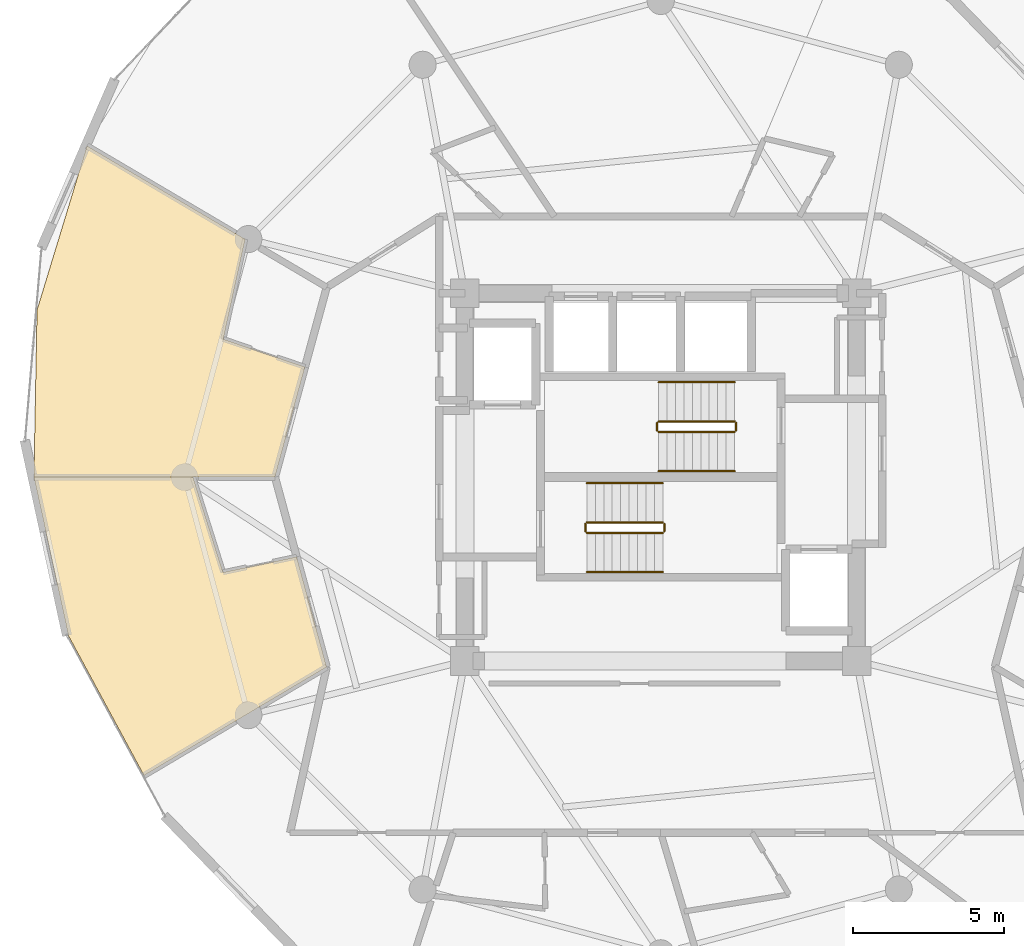
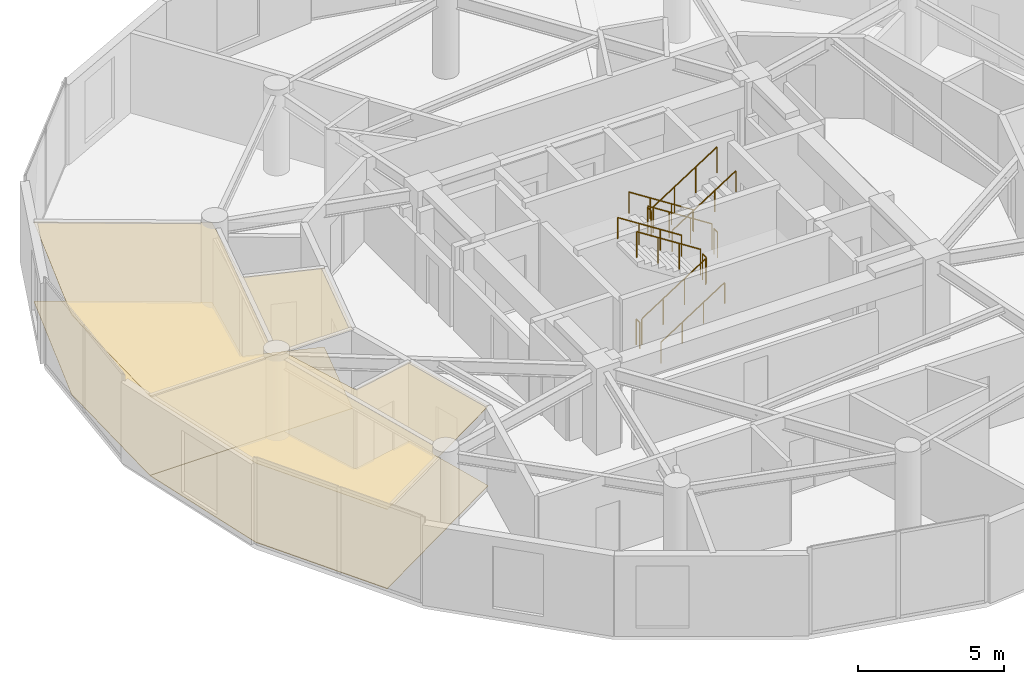
# One storey, part 22 of 23: 12 railings, 4 coverings.
"""IFC4 building model written with IfcOpenShell, lengths in metres."""

import ifcopenshell
import ifcopenshell.guid

model = None  # the IFC model being written
_history = None  # IfcOwnerHistory: only IFC2X3 demands one
_inside = {}  # id of a spatial element -> (the spatial element, [elements in it])
_under = {}  # id of a project, library or spatial element -> (it, [spatial elements below it])
_declared = {}  # id of a project -> (the project, [libraries it declares])
_typed = {}  # id of a type object -> (the type object, [elements of that type])
_made_of = {}  # id of a material, layer set ... -> (it, [elements and type objects made of it])


def new_model(schema):
    """Start an empty IFC model of exactly this schema.

    Asked for "IFC4X3", IfcOpenShell would pick the latest addendum, in which some entities
    have other attributes; the version numbers below select the first issue.
    IFC2X3 requires an IfcOwnerHistory on every rooted entity: one is made here for all.
    """
    global model, _history
    if schema == "IFC4X3":
        model = ifcopenshell.file(schema_version=(4, 3, 0, 0))
    else:
        model = ifcopenshell.file(schema=schema)
    _inside.clear()
    _under.clear()
    _declared.clear()
    _typed.clear()
    _made_of.clear()
    _history = None
    if model.schema == "IFC2X3":
        org = make("IfcOrganization", Name="unknown")
        user = make(
            "IfcPersonAndOrganization",
            ThePerson=make("IfcPerson", FamilyName="unknown"),
            TheOrganization=org,
        )
        app = make(
            "IfcApplication",
            ApplicationDeveloper=org,
            Version="unknown",
            ApplicationFullName="unknown",
            ApplicationIdentifier="unknown",
        )
        _history = make(
            "IfcOwnerHistory",
            OwningUser=user,
            OwningApplication=app,
            ChangeAction="ADDED",
            CreationDate=0,
        )
    return model


def make(cls, **values):
    """One entity of the class cls with the attributes given. An attribute that is None is left unset."""
    return model.create_entity(
        cls, **{name: value for name, value in values.items() if value is not None}
    )


def rooted(cls, **values):
    """An entity with a GlobalId (a new one), such as an element, a storey or a relation."""
    return make(cls, GlobalId=ifcopenshell.guid.new(), OwnerHistory=_history, **values)


def si_unit(unit_type, name, prefix=None):
    """IfcSIUnit, for example si_unit("LENGTHUNIT", "METRE", prefix="MILLI")."""
    return make("IfcSIUnit", UnitType=unit_type, Prefix=prefix, Name=name)


def assignment(units):
    """IfcUnitAssignment: the units of a project."""
    return None if units is None else make("IfcUnitAssignment", Units=units)


def point(xyz):
    """IfcCartesianPoint."""
    return None if xyz is None else make("IfcCartesianPoint", Coordinates=xyz)


def direction(xyz):
    """IfcDirection."""
    return None if xyz is None else make("IfcDirection", DirectionRatios=xyz)


def frame(location, z_axis=None, x_axis=None):
    """IfcAxis2Placement3D, a coordinate frame: its origin and axes. An axis left out is left unset."""
    return make(
        "IfcAxis2Placement3D",
        Location=point(location),
        Axis=direction(z_axis),
        RefDirection=direction(x_axis),
    )


def frame_2d(location, x_axis=None):
    """IfcAxis2Placement2D, a coordinate frame in the plane: its origin and x axis."""
    return make(
        "IfcAxis2Placement2D", Location=point(location), RefDirection=direction(x_axis)
    )


def origin():
    """The frame at (0, 0, 0) with its axes left unset."""
    return frame((0.0, 0.0, 0.0))


def origin_2d():
    """The frame at (0, 0) in the plane with its x axis left unset."""
    return frame_2d((0.0, 0.0))


def place(relative_to, where):
    """IfcLocalPlacement: puts the frame where relative to a parent placement (None: the world)."""
    return make(
        "IfcLocalPlacement", PlacementRelTo=relative_to, RelativePlacement=where
    )


def context(
    kind, dimensions, precision=None, world=None, true_north=None, identifier=None
):
    """IfcGeometricRepresentationContext, for example the 3D "Model" context."""
    return make(
        "IfcGeometricRepresentationContext",
        ContextIdentifier=identifier,
        ContextType=kind,
        CoordinateSpaceDimension=dimensions,
        Precision=precision,
        WorldCoordinateSystem=world,
        TrueNorth=true_north,
    )


def subcontext(parent, identifier, kind, view, scale=None):
    """IfcGeometricRepresentationSubContext, for example "Body" below "Model"."""
    return make(
        "IfcGeometricRepresentationSubContext",
        ContextIdentifier=identifier,
        ContextType=kind,
        ParentContext=parent,
        TargetScale=scale,
        TargetView=view,
    )


def project(units=None, contexts=None):
    """IfcProject with its units and contexts."""
    return rooted(
        "IfcProject",
        Name="project",
        RepresentationContexts=contexts,
        UnitsInContext=assignment(units),
    )


def spatial(cls, under=None, at=None, **own):
    """A site, building, storey or space (cls), placed at a placement, below another one or the project."""
    s = rooted(cls, ObjectPlacement=at, **own)
    if under is not None:
        _under.setdefault(under.id(), (under, []))[1].append(s)
    return s


def polyline(points):
    """IfcPolyline through the points."""
    return make("IfcPolyline", Points=[point(p) for p in points])


def profile(cls, at=None, kind="AREA", **sizes):
    """A parametric profile (cls). Its sizes go by their IFC names, for example OverallWidth=200.0."""
    return make(cls, ProfileType=kind, Position=at, **sizes)


def circle(**sizes):
    """IfcCircleProfileDef."""
    return profile("IfcCircleProfileDef", **sizes)


def outline(outer, holes=None, kind="AREA"):
    """IfcArbitraryClosedProfileDef: a profile drawn as a closed curve; with holes, ...WithVoids."""
    if holes is None:
        return make("IfcArbitraryClosedProfileDef", ProfileType=kind, OuterCurve=outer)
    return make(
        "IfcArbitraryProfileDefWithVoids",
        ProfileType=kind,
        OuterCurve=outer,
        InnerCurves=holes,
    )


def extrude(swept, where, along, depth):
    """IfcExtrudedAreaSolid: the profile swept, set in the frame where, extruded along a direction by depth."""
    return make(
        "IfcExtrudedAreaSolid",
        SweptArea=swept,
        Position=where,
        ExtrudedDirection=direction(along),
        Depth=depth,
    )


def shape(context_of_items, identifier, shape_type, items):
    """IfcShapeRepresentation: the items that make up one representation, for example the "Body"."""
    return make(
        "IfcShapeRepresentation",
        ContextOfItems=context_of_items,
        RepresentationIdentifier=identifier,
        RepresentationType=shape_type,
        Items=items,
    )


def material(Name=None, Category=None):
    """IfcMaterial."""
    return make("IfcMaterial", Name=Name, Category=Category)


def layer(
    of_material, thickness, ventilated=None, Name=None, Category=None, Priority=None
):
    """IfcMaterialLayer: one layer of a wall or slab, of a material (None: an air gap)."""
    return make(
        "IfcMaterialLayer",
        Material=of_material,
        LayerThickness=thickness,
        IsVentilated=ventilated,
        Name=Name,
        Category=Category,
        Priority=Priority,
    )


def layer_set(layers, Name=None):
    """IfcMaterialLayerSet."""
    return make("IfcMaterialLayerSet", MaterialLayers=layers, LayerSetName=Name)


def made_of(thing, what):
    """Note that an element or type object is made of a material, layer set ...; save() writes the relation."""
    if what is not None:
        _made_of.setdefault(what.id(), (what, []))[1].append(thing)
    return thing


def type_object(cls, material=None, **own):
    """A type object (cls), such as IfcWallType, which elements share."""
    return made_of(rooted(cls, **own), material)


def element(
    cls,
    number,
    at=None,
    inside=None,
    cuts=None,
    type_object=None,
    material=None,
    context=None,
    identifier="Body",
    shape_type=None,
    held_by="IfcProductDefinitionShape",
    body=None,
    shapes=None,
    **own,
):
    """One element of the class cls, such as IfcWall. Its Tag is "e" and its number.

    at: its placement. inside: the storey or other place that contains it. cuts: it is an
    opening in that element (IfcRelVoidsElement). A single representation is given by context,
    identifier, shape_type and body (its items); several are given by shapes. held_by: the class
    of the entity that holds the representations. save() writes the other relations.
    """
    e = rooted(cls, Tag="e%d" % number, ObjectPlacement=at, **own)
    if body is not None:
        shapes = [shape(context, identifier, shape_type, body)]
    if shapes is not None:
        e.Representation = make(held_by, Representations=shapes)
    if inside is not None:
        _inside.setdefault(inside.id(), (inside, []))[1].append(e)
    if cuts is not None:
        rooted(
            "IfcRelVoidsElement", RelatingBuildingElement=cuts, RelatedOpeningElement=e
        )
    if type_object is not None:
        _typed.setdefault(type_object.id(), (type_object, []))[1].append(e)
    return made_of(e, material)


def aggregate(whole, parts):
    """IfcRelAggregates: a whole, such as a stair, and the parts it consists of."""
    return rooted("IfcRelAggregates", RelatingObject=whole, RelatedObjects=parts)


def save(model, path):
    """Write the relations noted so far, then the file.

    IfcRelAggregates (storeys below a building ...), IfcRelContainedInSpatialStructure (elements
    in a storey), IfcRelDefinesByType, IfcRelAssociatesMaterial and IfcRelDeclares: one each for
    every whole, place, type object, material and project.
    """
    for whole, parts in _under.values():
        aggregate(whole, parts)
    for where, things in _inside.values():
        rooted(
            "IfcRelContainedInSpatialStructure",
            RelatedElements=things,
            RelatingStructure=where,
        )
    for kind, things in _typed.values():
        rooted("IfcRelDefinesByType", RelatedObjects=things, RelatingType=kind)
    for what, things in _made_of.values():
        rooted("IfcRelAssociatesMaterial", RelatedObjects=things, RelatingMaterial=what)
    for by, libraries in _declared.values():
        rooted("IfcRelDeclares", RelatingContext=by, RelatedDefinitions=libraries)
    model.write(path)


model = new_model("IFC4")

# Units and contexts
model_context = context("Model", 3, precision=1e-05, world=origin(), true_north=direction((0.0, 1.0)))
body_context = subcontext(model_context, "Body", "Model", "MODEL_VIEW")
ifc_project = project(units=[si_unit("LENGTHUNIT", "METRE"), si_unit("AREAUNIT", "SQUARE_METRE"), si_unit("VOLUMEUNIT", "CUBIC_METRE"), si_unit("PLANEANGLEUNIT", "RADIAN"), si_unit("MASSUNIT", "GRAM", prefix="KILO")], contexts=[model_context])

# Site, building, storey
site_placement = place(None, origin())
site = spatial("IfcSite", under=ifc_project, at=site_placement, CompositionType="ELEMENT")
building_placement = place(site_placement, origin())
building = spatial("IfcBuilding", under=site, at=building_placement, Name="Solvirekh Grand Hotel", CompositionType="ELEMENT")
storey_placement = place(building_placement, frame((0.0, 0.0, 180.39990234375)))
storey = spatial("IfcBuildingStorey", under=building, at=storey_placement, Name="L46", CompositionType="ELEMENT", Elevation=180.39990234375)

# Coverings
ifc_material_1 = material(Name="Acoustic Mineral Ceiling Tile")
ifc_layer_1 = layer(ifc_material_1, 0.02490234375)
ifc_layer_set_1 = layer_set([ifc_layer_1], Name="Acoustic Mineral Ceiling Tile")
covering_type_1 = type_object("IfcCoveringType", Name="Cov_Ceiling_Acoustic", PredefinedType="CEILING", material=ifc_layer_set_1)
covering_1_placement = place(storey_placement, frame((0.0, 0.0, 3.31005859375)))
element("IfcCovering", 1, at=covering_1_placement, inside=storey, type_object=covering_type_1, Name="L46 Deluxe Guestroom 4803 acoustic ceiling", PredefinedType="CEILING", context=body_context, shape_type="SweptSolid", body=[
    extrude(outline(polyline([(-14.514892578125, 4.5791015625), (-13.7890625, 7.89501953125), (-19.037109375, 10.990966796875), (-20.696044921875, 5.544921875), (-20.799072265625, 0.0), (-12.800048828125, 0.0), (-11.804931640625, 3.654052734375), (-14.514892578125, 4.5791015625)])), origin(), (0.0, 0.0, 1.0), 0.01806640625),
])
covering_2_placement = place(storey_placement, frame((0.0, 0.0, 3.31005859375)))
element("IfcCovering", 2, at=covering_2_placement, inside=storey, type_object=covering_type_1, Name="L46 Deluxe Guestroom 4804 acoustic ceiling", PredefinedType="CEILING", context=body_context, shape_type="SweptSolid", body=[
    extrude(outline(polyline([(-14.52294921875, -3.159912109375), (-15.52001953125, 0.0), (-20.799072265625, 0.0), (-19.652099609375, -5.26611328125), (-17.14794921875, -9.89990234375), (-11.0849609375, -6.300048828125), (-12.080078125, -2.64599609375), (-14.52294921875, -3.159912109375)])), origin(), (0.0, 0.0, 1.0), 0.01806640625),
])
ifc_material_2 = material(Name="Porcelain Stoneware Flooring", Category="masonry")
ifc_layer_2 = layer(ifc_material_2, 0.030029296875)
ifc_layer_set_2 = layer_set([ifc_layer_2], Name="Porcelain Stoneware Flooring")
covering_type_2 = type_object("IfcCoveringType", Name="Cov_Floor_Stone", PredefinedType="FLOORING", material=ifc_layer_set_2)
covering_3_placement = place(storey_placement, origin())
element("IfcCovering", 3, at=covering_3_placement, inside=storey, type_object=covering_type_2, Name="L46 Deluxe Guestroom 4803 polished granite flooring", PredefinedType="FLOORING", context=body_context, shape_type="SweptSolid", body=[
    extrude(outline(polyline([(-14.514892578125, 4.5791015625), (-13.7890625, 7.89501953125), (-19.037109375, 10.990966796875), (-20.696044921875, 5.544921875), (-20.799072265625, 0.0), (-12.800048828125, 0.0), (-11.804931640625, 3.654052734375), (-14.514892578125, 4.5791015625)])), origin(), (0.0, 0.0, 1.0), 0.02001953125),
])
covering_4_placement = place(storey_placement, origin())
element("IfcCovering", 4, at=covering_4_placement, inside=storey, type_object=covering_type_2, Name="L46 Deluxe Guestroom 4804 polished granite flooring", PredefinedType="FLOORING", context=body_context, shape_type="SweptSolid", body=[
    extrude(outline(polyline([(-14.52294921875, -3.159912109375), (-15.52001953125, 0.0), (-20.799072265625, 0.0), (-19.652099609375, -5.26611328125), (-17.14794921875, -9.89990234375), (-11.0849609375, -6.300048828125), (-12.080078125, -2.64599609375), (-14.52294921875, -3.159912109375)])), origin(), (0.0, 0.0, 1.0), 0.02001953125),
])

# Railings
ifc_material_3 = material(Name="Steel S355", Category="steel")
railing_type_1 = type_object("IfcRailingType", Name="Guard_Stair_1100", PredefinedType="GUARDRAIL", material=ifc_material_3)
railing_1_placement = place(storey_placement, frame((-2.449951171875, -1.85009765625, 0.18017578125)))
element("IfcRailing", 5, at=railing_1_placement, inside=storey, type_object=railing_type_1, Name="L46 ST-1 stair guard 1", PredefinedType="GUARDRAIL", context=body_context, shape_type="SweptSolid", body=[
    extrude(circle(Radius=0.02392578125, at=origin_2d()), frame((0.0, 0.0, 1.076171875), z_axis=(0.841199657755, 0.0, 0.540724639528), x_axis=(0.0, 1.0, 0.0)), (0.0, 0.0, 1.0), 2.995849609375),
    extrude(circle(Radius=0.02099609375, at=origin_2d()), origin(), (0.0, 0.0, 1.0), 1.052001953125),
    extrude(circle(Radius=0.02099609375, at=origin_2d()), frame((0.840087890625, 0.0, 0.5400390625)), (0.0, 0.0, 1.0), 1.052001953125),
    extrude(circle(Radius=0.02099609375, at=origin_2d()), frame((1.679931640625, 0.0, 1.079833984375)), (0.0, 0.0, 1.0), 1.052001953125),
    extrude(circle(Radius=0.02099609375, at=origin_2d()), frame((2.52001953125, 0.0, 1.619873046875)), (0.0, 0.0, 1.0), 1.052001953125),
])
railing_2_placement = place(storey_placement, frame((0.1201171875, -1.800048828125, 1.800048828125)))
element("IfcRailing", 6, at=railing_2_placement, inside=storey, type_object=railing_type_1, Name="L46 ST-1 stair guard 2", PredefinedType="GUARDRAIL", context=body_context, shape_type="SweptSolid", body=[
    extrude(circle(Radius=0.02392578125, at=origin_2d()), frame((0.0, 0.0, 1.076171875), z_axis=(0.0, 1.0, 0.0), x_axis=(-1.0, 0.0, 0.0)), (0.0, 0.0, 1.0), 0.25),
    extrude(circle(Radius=0.02099609375, at=origin_2d()), origin(), (0.0, 0.0, 1.0), 1.052001953125),
    extrude(circle(Radius=0.02099609375, at=origin_2d()), frame((0.0, 0.25, 0.0)), (0.0, 0.0, 1.0), 1.052001953125),
])
railing_3_placement = place(storey_placement, frame((0.070068359375, -1.5, 1.97998046875)))
element("IfcRailing", 7, at=railing_3_placement, inside=storey, type_object=railing_type_1, Name="L46 ST-1 stair guard 3", PredefinedType="GUARDRAIL", context=body_context, shape_type="SweptSolid", body=[
    extrude(circle(Radius=0.02392578125, at=origin_2d()), frame((0.0, 0.0, 1.076171875), z_axis=(-0.841162588446, 0.0, 0.540782303519), x_axis=(0.0, -1.0, 0.0)), (0.0, 0.0, 1.0), 2.995849609375),
    extrude(circle(Radius=0.02099609375, at=origin_2d()), origin(), (0.0, 0.0, 1.0), 1.052001953125),
    extrude(circle(Radius=0.02099609375, at=origin_2d()), frame((-0.840087890625, 0.0, 0.5400390625)), (0.0, 0.0, 1.0), 1.052001953125),
    extrude(circle(Radius=0.02099609375, at=origin_2d()), frame((-1.679931640625, 0.0, 1.080078125)), (0.0, 0.0, 1.0), 1.052001953125),
    extrude(circle(Radius=0.02099609375, at=origin_2d()), frame((-2.52001953125, 0.0, 1.6201171875)), (0.0, 0.0, 1.0), 1.052001953125),
])
railing_4_placement = place(storey_placement, frame((-2.5, -1.800048828125, 0.0)))
element("IfcRailing", 8, at=railing_4_placement, inside=storey, type_object=railing_type_1, Name="L46 ST-1 stair guard 4", PredefinedType="GUARDRAIL", context=body_context, shape_type="SweptSolid", body=[
    extrude(circle(Radius=0.02392578125, at=origin_2d()), frame((0.0, 0.0, 1.076171875), z_axis=(0.0, 1.0, 0.0), x_axis=(-1.0, 0.0, 0.0)), (0.0, 0.0, 1.0), 0.25),
    extrude(circle(Radius=0.02099609375, at=origin_2d()), origin(), (0.0, 0.0, 1.0), 1.052001953125),
    extrude(circle(Radius=0.02099609375, at=origin_2d()), frame((0.0, 0.25, 0.0)), (0.0, 0.0, 1.0), 1.052001953125),
])
railing_5_placement = place(storey_placement, frame((2.449951171875, 1.85009765625, 0.18017578125)))
element("IfcRailing", 9, at=railing_5_placement, inside=storey, type_object=railing_type_1, Name="L46 ST-2 stair guard 1", PredefinedType="GUARDRAIL", context=body_context, shape_type="SweptSolid", body=[
    extrude(circle(Radius=0.02392578125, at=origin_2d()), frame((0.0, 0.0, 1.076171875), z_axis=(-0.841199657755, 0.0, 0.540724639528), x_axis=(0.0, -1.0, 0.0)), (0.0, 0.0, 1.0), 2.995849609375),
    extrude(circle(Radius=0.02099609375, at=origin_2d()), origin(), (0.0, 0.0, 1.0), 1.052001953125),
    extrude(circle(Radius=0.02099609375, at=origin_2d()), frame((-0.840087890625, 0.0, 0.5400390625)), (0.0, 0.0, 1.0), 1.052001953125),
    extrude(circle(Radius=0.02099609375, at=origin_2d()), frame((-1.679931640625, 0.0, 1.079833984375)), (0.0, 0.0, 1.0), 1.052001953125),
    extrude(circle(Radius=0.02099609375, at=origin_2d()), frame((-2.52001953125, 0.0, 1.619873046875)), (0.0, 0.0, 1.0), 1.052001953125),
])
railing_6_placement = place(storey_placement, frame((-0.1201171875, 1.800048828125, 1.800048828125)))
element("IfcRailing", 10, at=railing_6_placement, inside=storey, type_object=railing_type_1, Name="L46 ST-2 stair guard 2", PredefinedType="GUARDRAIL", context=body_context, shape_type="SweptSolid", body=[
    extrude(circle(Radius=0.02392578125, at=origin_2d()), frame((0.0, 0.0, 1.076171875), z_axis=(0.0, -1.0, 0.0), x_axis=(1.0, 0.0, 0.0)), (0.0, 0.0, 1.0), 0.25),
    extrude(circle(Radius=0.02099609375, at=origin_2d()), origin(), (0.0, 0.0, 1.0), 1.052001953125),
    extrude(circle(Radius=0.02099609375, at=origin_2d()), frame((0.0, -0.25, 0.0)), (0.0, 0.0, 1.0), 1.052001953125),
])
railing_7_placement = place(storey_placement, frame((-0.070068359375, 1.5, 1.97998046875)))
element("IfcRailing", 11, at=railing_7_placement, inside=storey, type_object=railing_type_1, Name="L46 ST-2 stair guard 3", PredefinedType="GUARDRAIL", context=body_context, shape_type="SweptSolid", body=[
    extrude(circle(Radius=0.02392578125, at=origin_2d()), frame((0.0, 0.0, 1.076171875), z_axis=(0.841162588446, 0.0, 0.540782303519), x_axis=(0.0, 1.0, 0.0)), (0.0, 0.0, 1.0), 2.995849609375),
    extrude(circle(Radius=0.02099609375, at=origin_2d()), origin(), (0.0, 0.0, 1.0), 1.052001953125),
    extrude(circle(Radius=0.02099609375, at=origin_2d()), frame((0.840087890625, 0.0, 0.5400390625)), (0.0, 0.0, 1.0), 1.052001953125),
    extrude(circle(Radius=0.02099609375, at=origin_2d()), frame((1.679931640625, 0.0, 1.080078125)), (0.0, 0.0, 1.0), 1.052001953125),
    extrude(circle(Radius=0.02099609375, at=origin_2d()), frame((2.52001953125, 0.0, 1.6201171875)), (0.0, 0.0, 1.0), 1.052001953125),
])
railing_8_placement = place(storey_placement, frame((2.5, 1.800048828125, 0.0)))
element("IfcRailing", 12, at=railing_8_placement, inside=storey, type_object=railing_type_1, Name="L46 ST-2 stair guard 4", PredefinedType="GUARDRAIL", context=body_context, shape_type="SweptSolid", body=[
    extrude(circle(Radius=0.02392578125, at=origin_2d()), frame((0.0, 0.0, 1.076171875), z_axis=(0.0, -1.0, 0.0), x_axis=(1.0, 0.0, 0.0)), (0.0, 0.0, 1.0), 0.25),
    extrude(circle(Radius=0.02099609375, at=origin_2d()), origin(), (0.0, 0.0, 1.0), 1.052001953125),
    extrude(circle(Radius=0.02099609375, at=origin_2d()), frame((0.0, -0.25, 0.0)), (0.0, 0.0, 1.0), 1.052001953125),
])
ifc_material_4 = material(Name="Anodized Bronze Aluminium 6063-T6", Category="aluminium")
railing_type_2 = type_object("IfcRailingType", Name="Handrail_Wall_900", PredefinedType="HANDRAIL", material=ifc_material_4)
railing_9_placement = place(storey_placement, frame((-2.449951171875, -3.14990234375, 0.18017578125)))
element("IfcRailing", 13, at=railing_9_placement, inside=storey, type_object=railing_type_2, Name="L46 ST-1 stair handrail 1", PredefinedType="HANDRAIL", context=body_context, shape_type="SweptSolid", body=[
    extrude(circle(Radius=0.02392578125, at=origin_2d()), frame((0.0, 0.0, 0.8759765625), z_axis=(0.841199657755, 0.0, 0.540724639528), x_axis=(0.0, 1.0, 0.0)), (0.0, 0.0, 1.0), 2.995849609375),
    extrude(circle(Radius=0.02099609375, at=origin_2d()), origin(), (0.0, 0.0, 1.0), 0.851806640625),
    extrude(circle(Radius=0.02099609375, at=origin_2d()), frame((0.840087890625, 0.0, 0.5400390625)), (0.0, 0.0, 1.0), 0.851806640625),
    extrude(circle(Radius=0.02099609375, at=origin_2d()), frame((1.679931640625, 0.0, 1.079833984375)), (0.0, 0.0, 1.0), 0.851806640625),
    extrude(circle(Radius=0.02099609375, at=origin_2d()), frame((2.52001953125, 0.0, 1.619873046875)), (0.0, 0.0, 1.0), 0.851806640625),
])
railing_10_placement = place(storey_placement, frame((0.070068359375, -0.199951171875, 1.97998046875)))
element("IfcRailing", 14, at=railing_10_placement, inside=storey, type_object=railing_type_2, Name="L46 ST-1 stair handrail 2", PredefinedType="HANDRAIL", context=body_context, shape_type="SweptSolid", body=[
    extrude(circle(Radius=0.02392578125, at=origin_2d()), frame((0.0, 0.0, 0.8759765625), z_axis=(-0.841162588446, 0.0, 0.540782303519), x_axis=(0.0, -1.0, 0.0)), (0.0, 0.0, 1.0), 2.995849609375),
    extrude(circle(Radius=0.02099609375, at=origin_2d()), origin(), (0.0, 0.0, 1.0), 0.851806640625),
    extrude(circle(Radius=0.02099609375, at=origin_2d()), frame((-0.840087890625, 0.0, 0.5400390625)), (0.0, 0.0, 1.0), 0.851806640625),
    extrude(circle(Radius=0.02099609375, at=origin_2d()), frame((-1.679931640625, 0.0, 1.080078125)), (0.0, 0.0, 1.0), 0.851806640625),
    extrude(circle(Radius=0.02099609375, at=origin_2d()), frame((-2.52001953125, 0.0, 1.6201171875)), (0.0, 0.0, 1.0), 0.851806640625),
])
railing_11_placement = place(storey_placement, frame((2.449951171875, 3.14990234375, 0.18017578125)))
element("IfcRailing", 15, at=railing_11_placement, inside=storey, type_object=railing_type_2, Name="L46 ST-2 stair handrail 1", PredefinedType="HANDRAIL", context=body_context, shape_type="SweptSolid", body=[
    extrude(circle(Radius=0.02392578125, at=origin_2d()), frame((0.0, 0.0, 0.8759765625), z_axis=(-0.841199657755, 0.0, 0.540724639528), x_axis=(0.0, -1.0, 0.0)), (0.0, 0.0, 1.0), 2.995849609375),
    extrude(circle(Radius=0.02099609375, at=origin_2d()), origin(), (0.0, 0.0, 1.0), 0.851806640625),
    extrude(circle(Radius=0.02099609375, at=origin_2d()), frame((-0.840087890625, 0.0, 0.5400390625)), (0.0, 0.0, 1.0), 0.851806640625),
    extrude(circle(Radius=0.02099609375, at=origin_2d()), frame((-1.679931640625, 0.0, 1.079833984375)), (0.0, 0.0, 1.0), 0.851806640625),
    extrude(circle(Radius=0.02099609375, at=origin_2d()), frame((-2.52001953125, 0.0, 1.619873046875)), (0.0, 0.0, 1.0), 0.851806640625),
])
railing_12_placement = place(storey_placement, frame((-0.070068359375, 0.199951171875, 1.97998046875)))
element("IfcRailing", 16, at=railing_12_placement, inside=storey, type_object=railing_type_2, Name="L46 ST-2 stair handrail 2", PredefinedType="HANDRAIL", context=body_context, shape_type="SweptSolid", body=[
    extrude(circle(Radius=0.02392578125, at=origin_2d()), frame((0.0, 0.0, 0.8759765625), z_axis=(0.841162588446, 0.0, 0.540782303519), x_axis=(0.0, 1.0, 0.0)), (0.0, 0.0, 1.0), 2.995849609375),
    extrude(circle(Radius=0.02099609375, at=origin_2d()), origin(), (0.0, 0.0, 1.0), 0.851806640625),
    extrude(circle(Radius=0.02099609375, at=origin_2d()), frame((0.840087890625, 0.0, 0.5400390625)), (0.0, 0.0, 1.0), 0.851806640625),
    extrude(circle(Radius=0.02099609375, at=origin_2d()), frame((1.679931640625, 0.0, 1.080078125)), (0.0, 0.0, 1.0), 0.851806640625),
    extrude(circle(Radius=0.02099609375, at=origin_2d()), frame((2.52001953125, 0.0, 1.6201171875)), (0.0, 0.0, 1.0), 0.851806640625),
])

save(model, "model.ifc")
